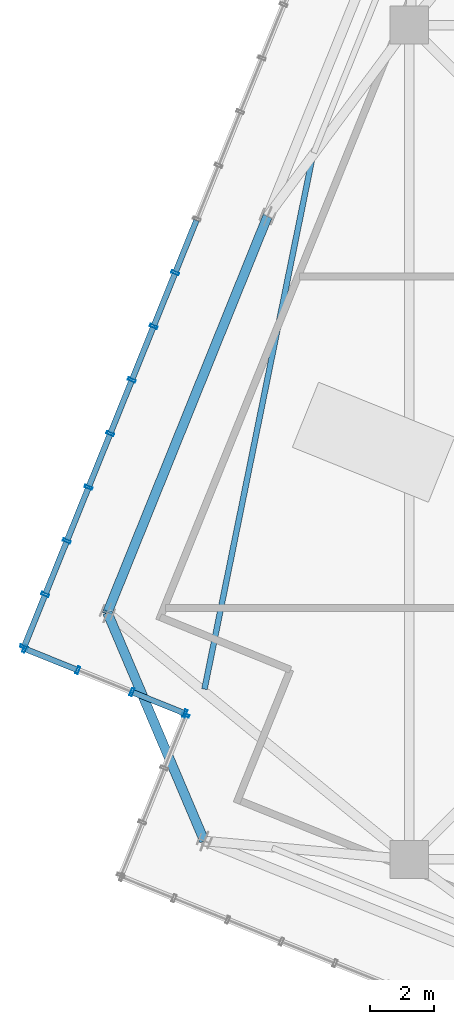
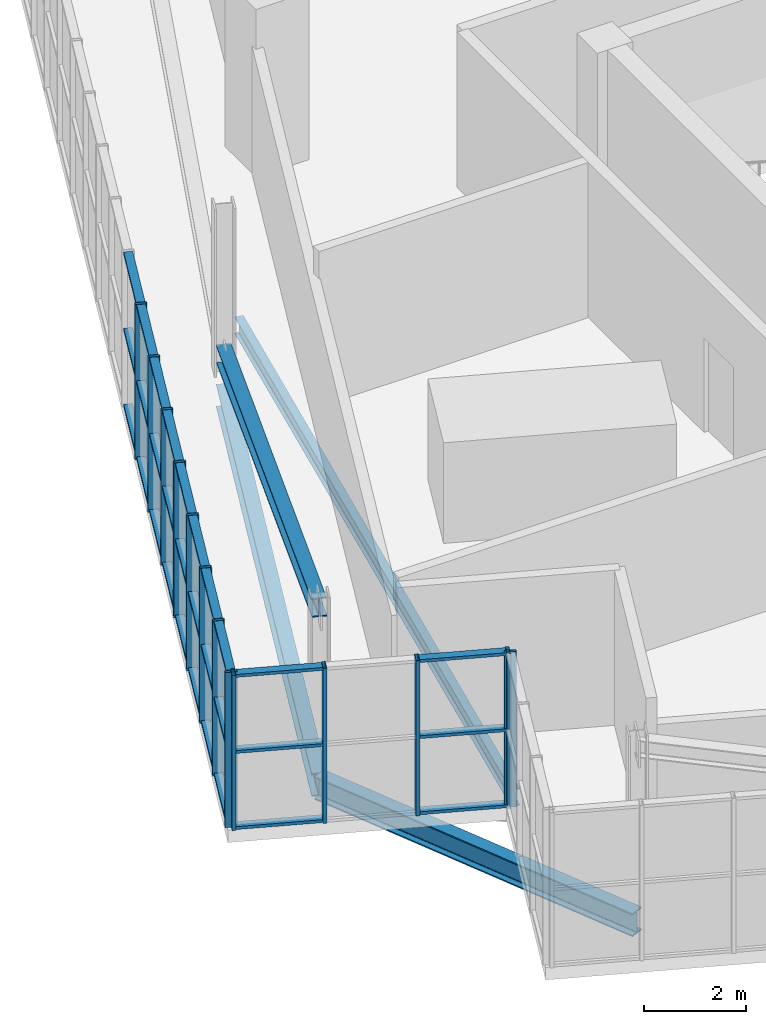
# One storey, part 6 of 26: 44 members, 3 beams, 3 elements without a shape of their own.
"""IFC4 building model written with IfcOpenShell, lengths in metres."""

from ifc_helpers import new_model, si_unit, direction, frame, origin, origin_2d, place, context, subcontext, project, spatial, hollow_rectangle, i_section, extrude, source, transform, mapped, material, layer, layer_set, material_profile, profile_set, type_object, element, aggregate, save


model = new_model("IFC4")

# Units and contexts
model_context = context("Model", 3, precision=1e-05, world=origin(), true_north=direction((0.0, 1.0)))
body_context = subcontext(model_context, "Body", "Model", "MODEL_VIEW")
ifc_project = project(units=[si_unit("LENGTHUNIT", "METRE"), si_unit("AREAUNIT", "SQUARE_METRE"), si_unit("VOLUMEUNIT", "CUBIC_METRE"), si_unit("PLANEANGLEUNIT", "RADIAN"), si_unit("MASSUNIT", "GRAM", prefix="KILO"), si_unit("THERMODYNAMICTEMPERATUREUNIT", "KELVIN")], contexts=[model_context])

# Site, building, storey
site_placement = place(None, origin())
site = spatial("IfcSite", under=ifc_project, at=site_placement, CompositionType="ELEMENT")
building_placement = place(site_placement, origin())
building = spatial("IfcBuilding", under=site, at=building_placement, Name="Kosmvard Interchange Tower", CompositionType="ELEMENT")
storey_placement = place(building_placement, frame((0.0, 0.0, 325.60009765625)))
storey = spatial("IfcBuildingStorey", under=building, at=storey_placement, Name="L80", CompositionType="ELEMENT", Elevation=325.60009765625)

# Member
ifc_material_1 = material(Name="Steel S355", Category="steel")
ifc_material_profile_1 = material_profile(ifc_material_1, i_section(OverallWidth=0.300048828125, OverallDepth=0.39990234375, WebThickness=0.013427734375, FlangeThickness=0.02392578125, FilletRadius=0.027099609375, at=origin_2d()), Name="HEB 400")
ifc_profile_set_1 = profile_set([ifc_material_profile_1], Name="Steel S355")
member_type_1 = type_object("IfcMemberType", Name="Lantern Crown Diagrid Brace HEB 400 S355", PredefinedType="BRACE", material=ifc_profile_set_1)
shared_shape_1 = source(origin(), body_context, "Body", "SweptSolid", [
    extrude(i_section(OverallWidth=0.300048828125, OverallDepth=0.39990234375, WebThickness=0.013427734375, FlangeThickness=0.02392578125, FilletRadius=0.027099609375, at=origin_2d()), origin(), (0.0, 0.0, 1.0), 13.783935546875),
])
member_1_placement = place(storey_placement, frame((-17.523681640625, 7.080078125, 0.419921875), z_axis=(-0.364177999122, -0.901367558742, 0.234330768366), x_axis=(0.927183187789, -0.374608243744, 0.0)))
element("IfcMember", 1, at=member_1_placement, inside=storey, type_object=member_type_1, Name="L80 Crown Lantern Diagrid Brace N2", PredefinedType="BRACE", context=body_context, shape_type="MappedRepresentation", body=[
    mapped(shared_shape_1, transform((0.0, 0.0, 0.0), scale=1.0)),
])

# Beams
ifc_material_profile_2 = material_profile(ifc_material_1, i_section(OverallWidth=0.300048828125, OverallDepth=0.550048828125, WebThickness=0.014892578125, FlangeThickness=0.029052734375, FilletRadius=0.027099609375, at=origin_2d()), Name="HEB 550")
ifc_profile_set_2 = profile_set([ifc_material_profile_2], Name="Steel S355")
beam_type_1 = type_object("IfcBeamType", Name="Crown Ring Cap Girder HEB 550 S355", PredefinedType="BEAM", material=ifc_profile_set_2)
shared_shape_2 = source(origin(), body_context, "Body", "SweptSolid", [
    extrude(i_section(OverallWidth=0.300048828125, OverallDepth=0.550048828125, WebThickness=0.014892578125, FlangeThickness=0.029052734375, FilletRadius=0.027099609375, at=origin_2d()), origin(), (0.0, 0.0, 1.0), 13.400146484375),
])
beam_1_placement = place(storey_placement, frame((-17.523681640625, 7.080078125, -0.5751953125), z_axis=(-0.374608243744, -0.927183187789, 0.0), x_axis=(0.927183187789, -0.374608243744, 0.0)))
element("IfcBeam", 2, at=beam_1_placement, inside=storey, type_object=beam_type_1, Name="BM-L80-PR08", PredefinedType="BEAM", context=body_context, shape_type="MappedRepresentation", body=[
    mapped(shared_shape_2, transform((0.0, 0.0, 0.0), scale=1.0)),
])
shared_shape_3 = source(origin(), body_context, "Body", "SweptSolid", [
    extrude(i_section(OverallWidth=0.300048828125, OverallDepth=0.550048828125, WebThickness=0.014892578125, FlangeThickness=0.029052734375, FilletRadius=0.027099609375, at=origin_2d()), origin(), (0.0, 0.0, 1.0), 7.778076171875),
])
beam_2_placement = place(storey_placement, frame((-22.54345703125, -5.34423828125, -0.5751953125), z_axis=(0.39071589075, -0.92051132134, 0.0), x_axis=(0.92051132134, 0.39071589075, 0.0)))
element("IfcBeam", 3, at=beam_2_placement, inside=storey, type_object=beam_type_1, Name="BM-L80-PR09", PredefinedType="BEAM", context=body_context, shape_type="MappedRepresentation", body=[
    mapped(shared_shape_3, transform((0.0, 0.0, 0.0), scale=1.0)),
])
ifc_material_profile_3 = material_profile(ifc_material_1, i_section(OverallWidth=0.179931640625, OverallDepth=0.39990234375, WebThickness=0.008544921875, FlangeThickness=0.013427734375, FilletRadius=0.02099609375, at=origin_2d()), Name="IPE 400")
ifc_profile_set_3 = profile_set([ifc_material_profile_3], Name="Steel S355")
beam_type_2 = type_object("IfcBeamType", Name="Upper-Zone Floor Joist IPE 400 S355", PredefinedType="JOIST", material=ifc_profile_set_3)
shared_shape_4 = source(origin(), body_context, "Body", "SweptSolid", [
    extrude(i_section(OverallWidth=0.179931640625, OverallDepth=0.39990234375, WebThickness=0.008544921875, FlangeThickness=0.013427734375, FilletRadius=0.02099609375, at=origin_2d()), origin(), (0.0, 0.0, 1.0), 17.0029296875),
])
beam_3_placement = place(storey_placement, frame((-16.117919921875, 8.921875, -0.5), z_axis=(-0.198882162837, -0.98002341059, 0.0), x_axis=(0.98002341059, -0.198882162837, 0.0)))
element("IfcBeam", 4, at=beam_3_placement, inside=storey, type_object=beam_type_2, Name="BM-L80-FJ06", PredefinedType="JOIST", context=body_context, shape_type="MappedRepresentation", body=[
    mapped(shared_shape_4, transform((0.0, 0.0, 0.0), scale=1.0)),
])

# Curtain wall, members
ifc_material_2 = material(Name="Architectural anodised aluminium", Category="aluminium")
ifc_layer = layer(ifc_material_2, 0.25, Name="Architectural anodised aluminium")
ifc_layer_set = layer_set([ifc_layer], Name="Architectural anodised aluminium")
curtain_wall_type = type_object("IfcCurtainWallType", Name="CW-6 Illuminated Crown Lantern Curtain Wall", PredefinedType="NOTDEFINED", material=ifc_layer_set)
curtain_wall_1_placement = place(storey_placement, origin())
curtain_wall_1 = element("IfcCurtainWall", 5, at=curtain_wall_1_placement, inside=storey, type_object=curtain_wall_type, Name="L80 Crown Lantern Glazing Face 07", PredefinedType="NOTDEFINED")
ifc_material_profile_4 = material_profile(ifc_material_2, hollow_rectangle(XDim=0.239990234375, YDim=0.080078125, WallThickness=0.006103515625, at=origin_2d()), Name="CWM 240x80x6")
ifc_profile_set_4 = profile_set([ifc_material_profile_4], Name="Architectural anodised aluminium")
member_type_2 = type_object("IfcMemberType", Name="Lantern & Observation CW Mullion 240x80 Aluminium", PredefinedType="MULLION", material=ifc_profile_set_4)
shared_shape_5 = source(origin(), body_context, "Body", "SweptSolid", [
    extrude(hollow_rectangle(XDim=0.239990234375, YDim=0.080078125, WallThickness=0.006103515625, at=origin_2d()), origin(), (0.0, 0.0, 1.0), 3.699951171875),
])
member_2_placement = place(storey_placement, frame((-20.416015625, 5.313720703125, 0.0), z_axis=(0.0, 0.0, 1.0), x_axis=(0.927183858065, -0.374606584758, 0.0)))
member_2 = element("IfcMember", 6, at=member_2_placement, type_object=member_type_2, Name="CW-6 mullion 11", PredefinedType="MULLION", context=body_context, shape_type="MappedRepresentation", body=[
    mapped(shared_shape_5, transform((0.0, 0.0, 0.0), scale=1.0)),
])
member_3_placement = place(storey_placement, frame((-21.095703125, 3.6318359375, 0.0), z_axis=(0.0, 0.0, 1.0), x_axis=(0.927183858065, -0.374606584758, 0.0)))
member_3 = element("IfcMember", 7, at=member_3_placement, type_object=member_type_2, Name="CW-6 mullion 12", PredefinedType="MULLION", context=body_context, shape_type="MappedRepresentation", body=[
    mapped(shared_shape_5, transform((0.0, 0.0, 0.0), scale=1.0)),
])
member_4_placement = place(storey_placement, frame((-21.775146484375, 1.94970703125, 0.0), z_axis=(0.0, 0.0, 1.0), x_axis=(0.927183858065, -0.374606584758, 0.0)))
member_4 = element("IfcMember", 8, at=member_4_placement, type_object=member_type_2, Name="CW-6 mullion 13", PredefinedType="MULLION", context=body_context, shape_type="MappedRepresentation", body=[
    mapped(shared_shape_5, transform((0.0, 0.0, 0.0), scale=1.0)),
])
member_5_placement = place(storey_placement, frame((-22.454833984375, 0.267578125, 0.0), z_axis=(0.0, 0.0, 1.0), x_axis=(0.927183858065, -0.374606584758, 0.0)))
member_5 = element("IfcMember", 9, at=member_5_placement, type_object=member_type_2, Name="CW-6 mullion 14", PredefinedType="MULLION", context=body_context, shape_type="MappedRepresentation", body=[
    mapped(shared_shape_5, transform((0.0, 0.0, 0.0), scale=1.0)),
])
member_6_placement = place(storey_placement, frame((-23.13427734375, -1.414306640625, 0.0), z_axis=(0.0, 0.0, 1.0), x_axis=(0.927183858065, -0.374606584758, 0.0)))
member_6 = element("IfcMember", 10, at=member_6_placement, type_object=member_type_2, Name="CW-6 mullion 15", PredefinedType="MULLION", context=body_context, shape_type="MappedRepresentation", body=[
    mapped(shared_shape_5, transform((0.0, 0.0, 0.0), scale=1.0)),
])
member_7_placement = place(storey_placement, frame((-23.81396484375, -3.096435546875, 0.0), z_axis=(0.0, 0.0, 1.0), x_axis=(0.927183858065, -0.374606584758, 0.0)))
member_7 = element("IfcMember", 11, at=member_7_placement, type_object=member_type_2, Name="CW-6 mullion 16", PredefinedType="MULLION", context=body_context, shape_type="MappedRepresentation", body=[
    mapped(shared_shape_5, transform((0.0, 0.0, 0.0), scale=1.0)),
])
member_8_placement = place(storey_placement, frame((-24.49365234375, -4.7783203125, 0.0), z_axis=(0.0, 0.0, 1.0), x_axis=(0.927183858065, -0.374606584758, 0.0)))
member_8 = element("IfcMember", 12, at=member_8_placement, type_object=member_type_2, Name="CW-6 mullion 17", PredefinedType="MULLION", context=body_context, shape_type="MappedRepresentation", body=[
    mapped(shared_shape_5, transform((0.0, 0.0, 0.0), scale=1.0)),
])
member_9_placement = place(storey_placement, frame((-25.158203125, -6.42333984375, 0.0), z_axis=(0.0, 0.0, 1.0), x_axis=(0.927183858065, -0.374606584758, 0.0)))
member_9 = element("IfcMember", 13, at=member_9_placement, type_object=member_type_2, Name="CW-6 mullion 18", PredefinedType="MULLION", context=body_context, shape_type="MappedRepresentation", body=[
    mapped(shared_shape_5, transform((0.0, 0.0, 0.0), scale=1.0)),
])

curtain_wall_2_placement = place(storey_placement, origin())
curtain_wall_2 = element("IfcCurtainWall", 14, at=curtain_wall_2_placement, inside=storey, type_object=curtain_wall_type, Name="L80 Crown Lantern Glazing Face 08", PredefinedType="NOTDEFINED")
member_10_placement = place(storey_placement, frame((-25.135986328125, -6.475341796875, 0.0), z_axis=(0.0, 0.0, 1.0), x_axis=(0.374606564822, 0.92718386612, 0.0)))
member_10 = element("IfcMember", 15, at=member_10_placement, type_object=member_type_2, Name="CW-6 mullion 1", PredefinedType="MULLION", context=body_context, shape_type="MappedRepresentation", body=[
    mapped(shared_shape_5, transform((0.0, 0.0, 0.0), scale=1.0)),
])
member_11_placement = place(storey_placement, frame((-23.473388671875, -7.147216796875, 0.0), z_axis=(0.0, 0.0, 1.0), x_axis=(0.374606564822, 0.92718386612, 0.0)))
member_11 = element("IfcMember", 16, at=member_11_placement, type_object=member_type_2, Name="CW-6 mullion 2", PredefinedType="MULLION", context=body_context, shape_type="MappedRepresentation", body=[
    mapped(shared_shape_5, transform((0.0, 0.0, 0.0), scale=1.0)),
])
member_12_placement = place(storey_placement, frame((-21.7734375, -7.833984375, 0.0), z_axis=(0.0, 0.0, 1.0), x_axis=(0.374606564822, 0.92718386612, 0.0)))
member_12 = element("IfcMember", 17, at=member_12_placement, type_object=member_type_2, Name="CW-6 mullion 3", PredefinedType="MULLION", context=body_context, shape_type="MappedRepresentation", body=[
    mapped(shared_shape_5, transform((0.0, 0.0, 0.0), scale=1.0)),
])
member_13_placement = place(storey_placement, frame((-20.110595703125, -8.505859375, 0.0), z_axis=(0.0, 0.0, 1.0), x_axis=(0.374606564822, 0.92718386612, 0.0)))
member_13 = element("IfcMember", 18, at=member_13_placement, type_object=member_type_2, Name="CW-6 mullion 4", PredefinedType="MULLION", context=body_context, shape_type="MappedRepresentation", body=[
    mapped(shared_shape_5, transform((0.0, 0.0, 0.0), scale=1.0)),
])

# Curtain wall, member
curtain_wall_3_placement = place(storey_placement, origin())
curtain_wall_3 = element("IfcCurtainWall", 19, at=curtain_wall_3_placement, inside=storey, type_object=curtain_wall_type, Name="L80 Crown Lantern Glazing Face 09", PredefinedType="NOTDEFINED")
member_14_placement = place(storey_placement, frame((-20.088623046875, -8.557861328125, 0.0), z_axis=(0.0, 0.0, 1.0), x_axis=(0.927183891631, -0.374606501678, 0.0)))
member_14 = element("IfcMember", 20, at=member_14_placement, type_object=member_type_2, Name="CW-6 mullion 1", PredefinedType="MULLION", context=body_context, shape_type="MappedRepresentation", body=[
    mapped(shared_shape_5, transform((0.0, 0.0, 0.0), scale=1.0)),
])
aggregate(curtain_wall_3, [member_14])

# Member
ifc_material_profile_5 = material_profile(ifc_material_2, hollow_rectangle(XDim=0.179931640625, YDim=0.070068359375, WallThickness=0.0048828125, at=origin_2d()), Name="CWT 180x70x5")
ifc_profile_set_5 = profile_set([ifc_material_profile_5], Name="Architectural anodised aluminium")
member_type_3 = type_object("IfcMemberType", Name="Heavy Lantern CW Transom 180x70 Aluminium", PredefinedType="USERDEFINED", material=ifc_profile_set_5)
shared_shape_6 = source(origin(), body_context, "Body", "SweptSolid", [
    extrude(hollow_rectangle(XDim=0.179931640625, YDim=0.070068359375, WallThickness=0.0048828125, at=origin_2d()), origin(), (0.0, 0.0, 1.0), 1.694091796875),
])
member_15_placement = place(storey_placement, frame((-24.508544921875, -4.8154296875, 0.034912109375), z_axis=(-0.374544061831, -0.927209116514, 0.0), x_axis=(0.927209116514, -0.374544061831, 0.0)))
member_15 = element("IfcMember", 21, at=member_15_placement, type_object=member_type_3, Name="CW-6 transom 17.1", ObjectType="TRANSOM", PredefinedType="USERDEFINED", context=body_context, shape_type="MappedRepresentation", body=[
    mapped(shared_shape_6, transform((0.0, 0.0, 0.0), scale=1.0)),
])

member_16_placement = place(storey_placement, frame((-24.508544921875, -4.8154296875, 1.849853515625), z_axis=(-0.374544061831, -0.927209116514, 0.0), x_axis=(0.927209116514, -0.374544061831, 0.0)))
member_16 = element("IfcMember", 22, at=member_16_placement, type_object=member_type_3, Name="CW-6 transom 17.2", ObjectType="TRANSOM", PredefinedType="USERDEFINED", context=body_context, shape_type="MappedRepresentation", body=[
    mapped(shared_shape_6, transform((0.0, 0.0, 0.0), scale=1.0)),
])

member_17_placement = place(storey_placement, frame((-24.508544921875, -4.8154296875, 3.664794921875), z_axis=(-0.374544061831, -0.927209116514, 0.0), x_axis=(0.927209116514, -0.374544061831, 0.0)))
member_17 = element("IfcMember", 23, at=member_17_placement, type_object=member_type_3, Name="CW-6 transom 17.3", ObjectType="TRANSOM", PredefinedType="USERDEFINED", context=body_context, shape_type="MappedRepresentation", body=[
    mapped(shared_shape_6, transform((0.0, 0.0, 0.0), scale=1.0)),
])

shared_shape_7 = source(origin(), body_context, "Body", "SweptSolid", [
    extrude(hollow_rectangle(XDim=0.179931640625, YDim=0.070068359375, WallThickness=0.0048828125, at=origin_2d()), origin(), (0.0, 0.0, 1.0), 1.734130859375),
])
member_18_placement = place(storey_placement, frame((-19.75146484375, 6.958740234375, 0.034912109375), z_axis=(-0.374616671924, -0.927179782522, 0.0), x_axis=(0.927179782522, -0.374616671924, 0.0)))
member_18 = element("IfcMember", 24, at=member_18_placement, type_object=member_type_3, Name="CW-6 transom 10.1", ObjectType="TRANSOM", PredefinedType="USERDEFINED", context=body_context, shape_type="MappedRepresentation", body=[
    mapped(shared_shape_7, transform((0.0, 0.0, 0.0), scale=1.0)),
])

member_19_placement = place(storey_placement, frame((-19.75146484375, 6.958740234375, 1.849853515625), z_axis=(-0.374616671924, -0.927179782522, 0.0), x_axis=(0.927179782522, -0.374616671924, 0.0)))
member_19 = element("IfcMember", 25, at=member_19_placement, type_object=member_type_3, Name="CW-6 transom 10.2", ObjectType="TRANSOM", PredefinedType="USERDEFINED", context=body_context, shape_type="MappedRepresentation", body=[
    mapped(shared_shape_7, transform((0.0, 0.0, 0.0), scale=1.0)),
])

member_20_placement = place(storey_placement, frame((-19.75146484375, 6.958740234375, 3.664794921875), z_axis=(-0.374616671924, -0.927179782522, 0.0), x_axis=(0.927179782522, -0.374616671924, 0.0)))
member_20 = element("IfcMember", 26, at=member_20_placement, type_object=member_type_3, Name="CW-6 transom 10.3", ObjectType="TRANSOM", PredefinedType="USERDEFINED", context=body_context, shape_type="MappedRepresentation", body=[
    mapped(shared_shape_7, transform((0.0, 0.0, 0.0), scale=1.0)),
])

member_21_placement = place(storey_placement, frame((-20.43115234375, 5.276611328125, 0.034912109375), z_axis=(-0.374495638732, -0.927228675447, 0.0), x_axis=(0.927228675447, -0.374495638732, 0.0)))
member_21 = element("IfcMember", 27, at=member_21_placement, type_object=member_type_3, Name="CW-6 transom 11.1", ObjectType="TRANSOM", PredefinedType="USERDEFINED", context=body_context, shape_type="MappedRepresentation", body=[
    mapped(shared_shape_7, transform((0.0, 0.0, 0.0), scale=1.0)),
])

member_22_placement = place(storey_placement, frame((-20.43115234375, 5.276611328125, 1.849853515625), z_axis=(-0.374495638732, -0.927228675447, 0.0), x_axis=(0.927228675447, -0.374495638732, 0.0)))
member_22 = element("IfcMember", 28, at=member_22_placement, type_object=member_type_3, Name="CW-6 transom 11.2", ObjectType="TRANSOM", PredefinedType="USERDEFINED", context=body_context, shape_type="MappedRepresentation", body=[
    mapped(shared_shape_7, transform((0.0, 0.0, 0.0), scale=1.0)),
])

member_23_placement = place(storey_placement, frame((-20.43115234375, 5.276611328125, 3.664794921875), z_axis=(-0.374495638732, -0.927228675447, 0.0), x_axis=(0.927228675447, -0.374495638732, 0.0)))
member_23 = element("IfcMember", 29, at=member_23_placement, type_object=member_type_3, Name="CW-6 transom 11.3", ObjectType="TRANSOM", PredefinedType="USERDEFINED", context=body_context, shape_type="MappedRepresentation", body=[
    mapped(shared_shape_7, transform((0.0, 0.0, 0.0), scale=1.0)),
])

member_24_placement = place(storey_placement, frame((-21.110595703125, 3.5947265625, 0.034912109375), z_axis=(-0.374616671924, -0.927179782522, 0.0), x_axis=(0.927179782522, -0.374616671924, 0.0)))
member_24 = element("IfcMember", 30, at=member_24_placement, type_object=member_type_3, Name="CW-6 transom 12.1", ObjectType="TRANSOM", PredefinedType="USERDEFINED", context=body_context, shape_type="MappedRepresentation", body=[
    mapped(shared_shape_7, transform((0.0, 0.0, 0.0), scale=1.0)),
])

member_25_placement = place(storey_placement, frame((-21.110595703125, 3.5947265625, 1.849853515625), z_axis=(-0.374616671924, -0.927179782522, 0.0), x_axis=(0.927179782522, -0.374616671924, 0.0)))
member_25 = element("IfcMember", 31, at=member_25_placement, type_object=member_type_3, Name="CW-6 transom 12.2", ObjectType="TRANSOM", PredefinedType="USERDEFINED", context=body_context, shape_type="MappedRepresentation", body=[
    mapped(shared_shape_7, transform((0.0, 0.0, 0.0), scale=1.0)),
])

member_26_placement = place(storey_placement, frame((-21.110595703125, 3.5947265625, 3.664794921875), z_axis=(-0.374616671924, -0.927179782522, 0.0), x_axis=(0.927179782522, -0.374616671924, 0.0)))
member_26 = element("IfcMember", 32, at=member_26_placement, type_object=member_type_3, Name="CW-6 transom 12.3", ObjectType="TRANSOM", PredefinedType="USERDEFINED", context=body_context, shape_type="MappedRepresentation", body=[
    mapped(shared_shape_7, transform((0.0, 0.0, 0.0), scale=1.0)),
])

member_27_placement = place(storey_placement, frame((-21.790283203125, 1.91259765625, 0.034912109375), z_axis=(-0.374495638732, -0.927228675447, 0.0), x_axis=(0.927228675447, -0.374495638732, 0.0)))
member_27 = element("IfcMember", 33, at=member_27_placement, type_object=member_type_3, Name="CW-6 transom 13.1", ObjectType="TRANSOM", PredefinedType="USERDEFINED", context=body_context, shape_type="MappedRepresentation", body=[
    mapped(shared_shape_7, transform((0.0, 0.0, 0.0), scale=1.0)),
])

member_28_placement = place(storey_placement, frame((-21.790283203125, 1.91259765625, 1.849853515625), z_axis=(-0.374495638732, -0.927228675447, 0.0), x_axis=(0.927228675447, -0.374495638732, 0.0)))
member_28 = element("IfcMember", 34, at=member_28_placement, type_object=member_type_3, Name="CW-6 transom 13.2", ObjectType="TRANSOM", PredefinedType="USERDEFINED", context=body_context, shape_type="MappedRepresentation", body=[
    mapped(shared_shape_7, transform((0.0, 0.0, 0.0), scale=1.0)),
])

member_29_placement = place(storey_placement, frame((-21.790283203125, 1.91259765625, 3.664794921875), z_axis=(-0.374495638732, -0.927228675447, 0.0), x_axis=(0.927228675447, -0.374495638732, 0.0)))
member_29 = element("IfcMember", 35, at=member_29_placement, type_object=member_type_3, Name="CW-6 transom 13.3", ObjectType="TRANSOM", PredefinedType="USERDEFINED", context=body_context, shape_type="MappedRepresentation", body=[
    mapped(shared_shape_7, transform((0.0, 0.0, 0.0), scale=1.0)),
])

member_30_placement = place(storey_placement, frame((-23.1494140625, -1.451416015625, 0.034912109375), z_axis=(-0.374616671924, -0.927179782522, 0.0), x_axis=(0.927179782522, -0.374616671924, 0.0)))
member_30 = element("IfcMember", 36, at=member_30_placement, type_object=member_type_3, Name="CW-6 transom 15.1", ObjectType="TRANSOM", PredefinedType="USERDEFINED", context=body_context, shape_type="MappedRepresentation", body=[
    mapped(shared_shape_7, transform((0.0, 0.0, 0.0), scale=1.0)),
])

member_31_placement = place(storey_placement, frame((-23.1494140625, -1.451416015625, 1.849853515625), z_axis=(-0.374616671924, -0.927179782522, 0.0), x_axis=(0.927179782522, -0.374616671924, 0.0)))
member_31 = element("IfcMember", 37, at=member_31_placement, type_object=member_type_3, Name="CW-6 transom 15.2", ObjectType="TRANSOM", PredefinedType="USERDEFINED", context=body_context, shape_type="MappedRepresentation", body=[
    mapped(shared_shape_7, transform((0.0, 0.0, 0.0), scale=1.0)),
])

member_32_placement = place(storey_placement, frame((-23.1494140625, -1.451416015625, 3.664794921875), z_axis=(-0.374616671924, -0.927179782522, 0.0), x_axis=(0.927179782522, -0.374616671924, 0.0)))
member_32 = element("IfcMember", 38, at=member_32_placement, type_object=member_type_3, Name="CW-6 transom 15.3", ObjectType="TRANSOM", PredefinedType="USERDEFINED", context=body_context, shape_type="MappedRepresentation", body=[
    mapped(shared_shape_7, transform((0.0, 0.0, 0.0), scale=1.0)),
])

shared_shape_8 = source(origin(), body_context, "Body", "SweptSolid", [
    extrude(hollow_rectangle(XDim=0.179931640625, YDim=0.070068359375, WallThickness=0.0048828125, at=origin_2d()), origin(), (0.0, 0.0, 1.0), 1.73388671875),
])
member_33_placement = place(storey_placement, frame((-22.4697265625, 0.23046875, 0.034912109375), z_axis=(-0.374665576032, -0.927160021861, 0.0), x_axis=(0.927160021861, -0.374665576032, 0.0)))
member_33 = element("IfcMember", 39, at=member_33_placement, type_object=member_type_3, Name="CW-6 transom 14.1", ObjectType="TRANSOM", PredefinedType="USERDEFINED", context=body_context, shape_type="MappedRepresentation", body=[
    mapped(shared_shape_8, transform((0.0, 0.0, 0.0), scale=1.0)),
])

member_34_placement = place(storey_placement, frame((-22.4697265625, 0.23046875, 1.849853515625), z_axis=(-0.374665576032, -0.927160021861, 0.0), x_axis=(0.927160021861, -0.374665576032, 0.0)))
member_34 = element("IfcMember", 40, at=member_34_placement, type_object=member_type_3, Name="CW-6 transom 14.2", ObjectType="TRANSOM", PredefinedType="USERDEFINED", context=body_context, shape_type="MappedRepresentation", body=[
    mapped(shared_shape_8, transform((0.0, 0.0, 0.0), scale=1.0)),
])

member_35_placement = place(storey_placement, frame((-22.4697265625, 0.23046875, 3.664794921875), z_axis=(-0.374665576032, -0.927160021861, 0.0), x_axis=(0.927160021861, -0.374665576032, 0.0)))
member_35 = element("IfcMember", 41, at=member_35_placement, type_object=member_type_3, Name="CW-6 transom 14.3", ObjectType="TRANSOM", PredefinedType="USERDEFINED", context=body_context, shape_type="MappedRepresentation", body=[
    mapped(shared_shape_8, transform((0.0, 0.0, 0.0), scale=1.0)),
])

member_36_placement = place(storey_placement, frame((-23.828857421875, -3.133544921875, 0.034912109375), z_axis=(-0.374665576032, -0.927160021861, 0.0), x_axis=(0.927160021861, -0.374665576032, 0.0)))
member_36 = element("IfcMember", 42, at=member_36_placement, type_object=member_type_3, Name="CW-6 transom 16.1", ObjectType="TRANSOM", PredefinedType="USERDEFINED", context=body_context, shape_type="MappedRepresentation", body=[
    mapped(shared_shape_8, transform((0.0, 0.0, 0.0), scale=1.0)),
])

member_37_placement = place(storey_placement, frame((-23.828857421875, -3.133544921875, 1.849853515625), z_axis=(-0.374665576032, -0.927160021861, 0.0), x_axis=(0.927160021861, -0.374665576032, 0.0)))
member_37 = element("IfcMember", 43, at=member_37_placement, type_object=member_type_3, Name="CW-6 transom 16.2", ObjectType="TRANSOM", PredefinedType="USERDEFINED", context=body_context, shape_type="MappedRepresentation", body=[
    mapped(shared_shape_8, transform((0.0, 0.0, 0.0), scale=1.0)),
])

member_38_placement = place(storey_placement, frame((-23.828857421875, -3.133544921875, 3.664794921875), z_axis=(-0.374665576032, -0.927160021861, 0.0), x_axis=(0.927160021861, -0.374665576032, 0.0)))
member_38 = element("IfcMember", 44, at=member_38_placement, type_object=member_type_3, Name="CW-6 transom 16.3", ObjectType="TRANSOM", PredefinedType="USERDEFINED", context=body_context, shape_type="MappedRepresentation", body=[
    mapped(shared_shape_8, transform((0.0, 0.0, 0.0), scale=1.0)),
])

aggregate(curtain_wall_1, [member_2, member_3, member_4, member_5, member_6, member_7, member_8, member_9, member_18, member_19, member_20, member_21, member_22, member_23, member_24, member_25, member_26, member_27, member_28, member_29, member_33, member_34, member_35, member_30, member_31, member_32, member_36, member_37, member_38, member_15, member_16, member_17])

shared_shape_9 = source(origin(), body_context, "Body", "SweptSolid", [
    extrude(hollow_rectangle(XDim=0.179931640625, YDim=0.070068359375, WallThickness=0.0048828125, at=origin_2d()), origin(), (0.0, 0.0, 1.0), 1.71337890625),
])
member_39_placement = place(storey_placement, frame((-25.098876953125, -6.490478515625, 0.034912109375), z_axis=(0.927233273404, -0.374484254265, 0.0), x_axis=(0.374484254265, 0.927233273404, 0.0)))
member_39 = element("IfcMember", 45, at=member_39_placement, type_object=member_type_3, Name="CW-6 transom 1.1", ObjectType="TRANSOM", PredefinedType="USERDEFINED", context=body_context, shape_type="MappedRepresentation", body=[
    mapped(shared_shape_9, transform((0.0, 0.0, 0.0), scale=1.0)),
])

member_40_placement = place(storey_placement, frame((-25.098876953125, -6.490478515625, 1.849853515625), z_axis=(0.927233273404, -0.374484254265, 0.0), x_axis=(0.374484254265, 0.927233273404, 0.0)))
member_40 = element("IfcMember", 46, at=member_40_placement, type_object=member_type_3, Name="CW-6 transom 1.2", ObjectType="TRANSOM", PredefinedType="USERDEFINED", context=body_context, shape_type="MappedRepresentation", body=[
    mapped(shared_shape_9, transform((0.0, 0.0, 0.0), scale=1.0)),
])

member_41_placement = place(storey_placement, frame((-25.098876953125, -6.490478515625, 3.664794921875), z_axis=(0.927233273404, -0.374484254265, 0.0), x_axis=(0.374484254265, 0.927233273404, 0.0)))
member_41 = element("IfcMember", 47, at=member_41_placement, type_object=member_type_3, Name="CW-6 transom 1.3", ObjectType="TRANSOM", PredefinedType="USERDEFINED", context=body_context, shape_type="MappedRepresentation", body=[
    mapped(shared_shape_9, transform((0.0, 0.0, 0.0), scale=1.0)),
])

member_42_placement = place(storey_placement, frame((-21.736328125, -7.848876953125, 0.034912109375), z_axis=(0.927183787829, -0.374606758599, 0.0), x_axis=(0.374606758599, 0.927183787829, 0.0)))
member_42 = element("IfcMember", 48, at=member_42_placement, type_object=member_type_3, Name="CW-6 transom 3.1", ObjectType="TRANSOM", PredefinedType="USERDEFINED", context=body_context, shape_type="MappedRepresentation", body=[
    mapped(shared_shape_9, transform((0.0, 0.0, 0.0), scale=1.0)),
])

member_43_placement = place(storey_placement, frame((-21.736328125, -7.848876953125, 1.849853515625), z_axis=(0.927183787829, -0.374606758599, 0.0), x_axis=(0.374606758599, 0.927183787829, 0.0)))
member_43 = element("IfcMember", 49, at=member_43_placement, type_object=member_type_3, Name="CW-6 transom 3.2", ObjectType="TRANSOM", PredefinedType="USERDEFINED", context=body_context, shape_type="MappedRepresentation", body=[
    mapped(shared_shape_9, transform((0.0, 0.0, 0.0), scale=1.0)),
])

member_44_placement = place(storey_placement, frame((-21.736328125, -7.848876953125, 3.664794921875), z_axis=(0.927183787829, -0.374606758599, 0.0), x_axis=(0.374606758599, 0.927183787829, 0.0)))
member_44 = element("IfcMember", 50, at=member_44_placement, type_object=member_type_3, Name="CW-6 transom 3.3", ObjectType="TRANSOM", PredefinedType="USERDEFINED", context=body_context, shape_type="MappedRepresentation", body=[
    mapped(shared_shape_9, transform((0.0, 0.0, 0.0), scale=1.0)),
])

aggregate(curtain_wall_2, [member_10, member_11, member_12, member_13, member_39, member_40, member_41, member_42, member_43, member_44])

save(model, "model.ifc")
